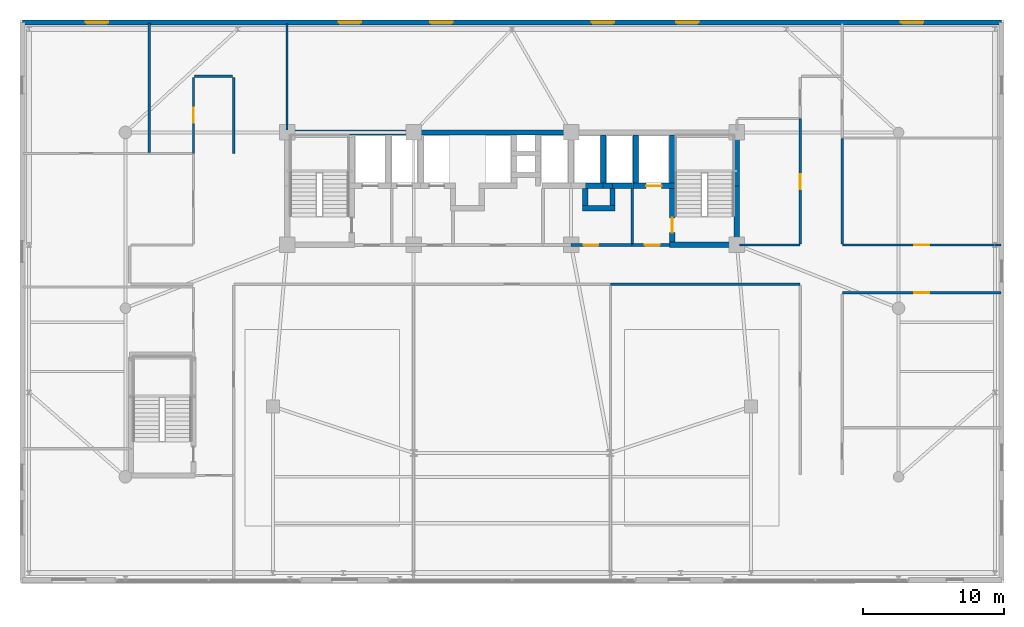
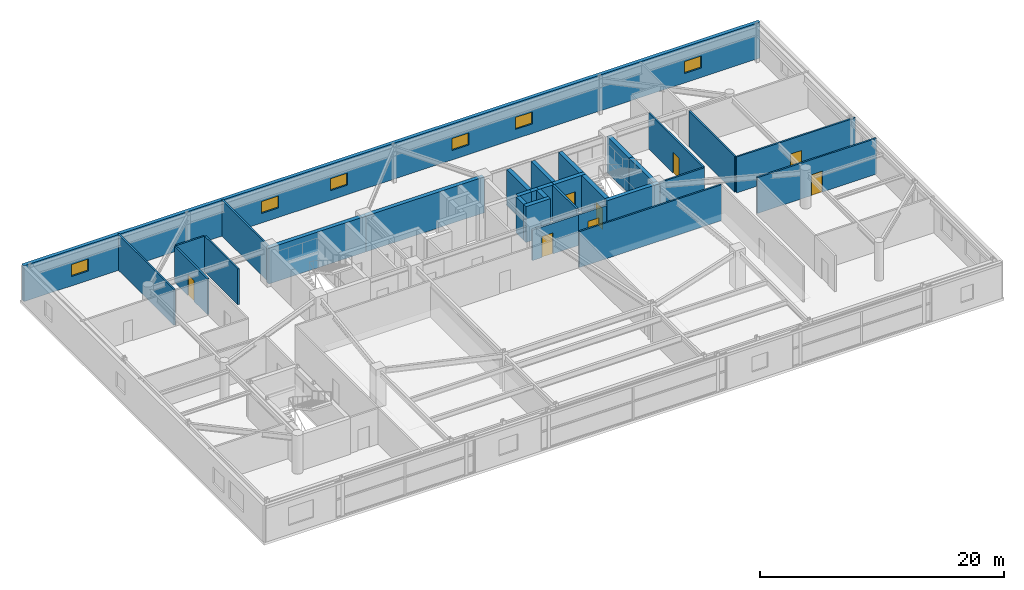
# One storey, part 22 of 26: 31 walls, 8 doors, 6 windows, 14 openings.
"""IFC4 building model written with IfcOpenShell, lengths in metres."""

from ifc_helpers import new_model, si_unit, direction, frame, frame_2d, origin, place, context, subcontext, project, spatial, rectangle, extrude, source, transform, mapped, material, layer, layer_set, type_object, element, fill, save


model = new_model("IFC4")

# Units and contexts
model_context = context("Model", 3, precision=1e-05, world=origin(), true_north=direction((0.0, 1.0)))
body_context = subcontext(model_context, "Body", "Model", "MODEL_VIEW")
ifc_project = project(units=[si_unit("LENGTHUNIT", "METRE"), si_unit("AREAUNIT", "SQUARE_METRE"), si_unit("VOLUMEUNIT", "CUBIC_METRE"), si_unit("PLANEANGLEUNIT", "RADIAN"), si_unit("MASSUNIT", "GRAM", prefix="KILO")], contexts=[model_context])

# Site, building, storey
site_placement = place(None, origin())
site = spatial("IfcSite", under=ifc_project, at=site_placement, CompositionType="ELEMENT")
building_placement = place(site_placement, origin())
building = spatial("IfcBuilding", under=site, at=building_placement, Name="Taldren Reach Tower", CompositionType="ELEMENT")
storey_placement = place(building_placement, frame((0.0, 0.0, 4.550048828125)))
storey = spatial("IfcBuildingStorey", under=building, at=storey_placement, Name="L01", CompositionType="ELEMENT", Elevation=4.550048828125)

# Wall, openings, windows
ifc_material_1 = material(Name="Pale Champagne Anodised Aluminium Cladding", Category="aluminium")
ifc_layer_1 = layer(ifc_material_1, 0.04, Name="Pale Champagne Anodised Aluminium Cladding", Category="aluminium")
ifc_material_2 = material(Name="Mineral Wool Thermal Insulation", Category="insulation")
ifc_layer_2 = layer(ifc_material_2, 0.08, Name="Mineral Wool Thermal Insulation", Category="insulation")
ifc_material_3 = material(Name="Concrete S50 (50 MPa)", Category="concrete")
ifc_layer_3 = layer(ifc_material_3, 0.22, Name="Concrete S50 (50 MPa)", Category="concrete")
ifc_layer_set_1 = layer_set([ifc_layer_1, ifc_layer_2, ifc_layer_3], Name="Pale Champagne Aluminium Cladding and Precast Concrete 50 MPa (S50)")
wall_type_1 = type_object("IfcWallType", Name="EW-POD-340", PredefinedType="SOLIDWALL", material=ifc_layer_set_1)
shared_shape_1 = source(origin(), body_context, "Body", "SweptSolid", [
    extrude(rectangle(XDim=69.66015625, YDim=0.340087890625, at=frame_2d((34.830078125, 0.0))), origin(), (0.0, 0.0, 1.0), 3.58984375),
])
wall_1_placement = place(storey_placement, frame((0.169921875, 39.830078125, 0.0), z_axis=(0.0, 0.0, 1.0), x_axis=(1.0, 0.0, 0.0)))
wall_1 = element("IfcWall", 1, at=wall_1_placement, inside=storey, type_object=wall_type_1, Name="Podium facade wall L01-N", PredefinedType="SOLIDWALL", context=body_context, shape_type="MappedRepresentation", body=[
    mapped(shared_shape_1, transform((0.0, 0.0, 0.0), scale=1.0)),
])
shared_shape_2 = source(origin(), body_context, "Body", "SweptSolid", [
    extrude(rectangle(XDim=1.60009765625, YDim=1.199951171875, at=frame_2d((0.800048828125, 0.60009765625))), frame((0.0, 0.18017578125, 0.0), z_axis=(0.0, -1.0, 0.0), x_axis=(1.0, 0.0, 0.0)), (0.0, 0.0, 1.0), 0.360107421875),
])
opening_1_placement = place(wall_1_placement, frame((4.5, 0.0, 0.949951171875)))
opening_1 = element("IfcOpeningElement", 2, at=opening_1_placement, cuts=wall_1, Name="Opening W-1612", PredefinedType="OPENING", context=body_context, shape_type="MappedRepresentation", body=[
    mapped(shared_shape_2, transform((0.0, 0.0, 0.0), scale=1.0)),
])
opening_2_placement = place(wall_1_placement, frame((22.5, 0.0, 0.949951171875)))
opening_2 = element("IfcOpeningElement", 3, at=opening_2_placement, cuts=wall_1, Name="Opening W-1612", PredefinedType="OPENING", context=body_context, shape_type="MappedRepresentation", body=[
    mapped(shared_shape_2, transform((0.0, 0.0, 0.0), scale=1.0)),
])
opening_3_placement = place(wall_1_placement, frame((29.0, 0.0, 0.949951171875)))
opening_3 = element("IfcOpeningElement", 4, at=opening_3_placement, cuts=wall_1, Name="Opening W-1612", PredefinedType="OPENING", context=body_context, shape_type="MappedRepresentation", body=[
    mapped(shared_shape_2, transform((0.0, 0.0, 0.0), scale=1.0)),
])
opening_4_placement = place(wall_1_placement, frame((40.5, 0.0, 0.949951171875)))
opening_4 = element("IfcOpeningElement", 5, at=opening_4_placement, cuts=wall_1, Name="Opening W-1612", PredefinedType="OPENING", context=body_context, shape_type="MappedRepresentation", body=[
    mapped(shared_shape_2, transform((0.0, 0.0, 0.0), scale=1.0)),
])
opening_5_placement = place(wall_1_placement, frame((46.5, 0.0, 0.949951171875)))
opening_5 = element("IfcOpeningElement", 6, at=opening_5_placement, cuts=wall_1, Name="Opening W-1612", PredefinedType="OPENING", context=body_context, shape_type="MappedRepresentation", body=[
    mapped(shared_shape_2, transform((0.0, 0.0, 0.0), scale=1.0)),
])
opening_6_placement = place(wall_1_placement, frame((62.5, 0.0, 0.949951171875)))
opening_6 = element("IfcOpeningElement", 7, at=opening_6_placement, cuts=wall_1, Name="Opening W-1612", PredefinedType="OPENING", context=body_context, shape_type="MappedRepresentation", body=[
    mapped(shared_shape_2, transform((0.0, 0.0, 0.0), scale=1.0)),
])
ifc_material_4 = material(Name="Thermally Broken Aluminium and Low-E IGU", Category="aluminium")
window_type = type_object("IfcWindowType", Name="WN-CLN-1600", PartitioningType="SINGLE_PANEL", PredefinedType="WINDOW", material=ifc_material_4)
shared_shape_3 = source(origin(), body_context, "Body", "SweptSolid", [
    extrude(rectangle(XDim=1.60009765625, YDim=1.199951171875, at=frame_2d((0.800048828125, 0.60009765625))), frame((0.0, 0.030029296875, 0.0), z_axis=(0.0, -1.0, 0.0), x_axis=(1.0, 0.0, 0.0)), (0.0, 0.0, 1.0), 0.06005859375),
])
window_1_placement = place(opening_1_placement, origin())
window_1 = element("IfcWindow", 8, at=window_1_placement, inside=storey, type_object=window_type, Name="Clinical window L01-N1", OverallHeight=1.199951171875, OverallWidth=1.60009765625, PartitioningType="SINGLE_PANEL", PredefinedType="WINDOW", context=body_context, shape_type="MappedRepresentation", body=[
    mapped(shared_shape_3, transform((0.0, 0.0, 0.0), scale=1.0)),
])
fill(opening_1, window_1)
window_2_placement = place(opening_2_placement, origin())
window_2 = element("IfcWindow", 9, at=window_2_placement, inside=storey, type_object=window_type, Name="Clinical window L01-N2", OverallHeight=1.199951171875, OverallWidth=1.60009765625, PartitioningType="SINGLE_PANEL", PredefinedType="WINDOW", context=body_context, shape_type="MappedRepresentation", body=[
    mapped(shared_shape_3, transform((0.0, 0.0, 0.0), scale=1.0)),
])
fill(opening_2, window_2)
window_3_placement = place(opening_3_placement, origin())
window_3 = element("IfcWindow", 10, at=window_3_placement, inside=storey, type_object=window_type, Name="Clinical window L01-N3", OverallHeight=1.199951171875, OverallWidth=1.60009765625, PartitioningType="SINGLE_PANEL", PredefinedType="WINDOW", context=body_context, shape_type="MappedRepresentation", body=[
    mapped(shared_shape_3, transform((0.0, 0.0, 0.0), scale=1.0)),
])
fill(opening_3, window_3)
window_4_placement = place(opening_4_placement, origin())
window_4 = element("IfcWindow", 11, at=window_4_placement, inside=storey, type_object=window_type, Name="Clinical window L01-N4", OverallHeight=1.199951171875, OverallWidth=1.60009765625, PartitioningType="SINGLE_PANEL", PredefinedType="WINDOW", context=body_context, shape_type="MappedRepresentation", body=[
    mapped(shared_shape_3, transform((0.0, 0.0, 0.0), scale=1.0)),
])
fill(opening_4, window_4)
window_5_placement = place(opening_5_placement, origin())
window_5 = element("IfcWindow", 12, at=window_5_placement, inside=storey, type_object=window_type, Name="Clinical window L01-N5", OverallHeight=1.199951171875, OverallWidth=1.60009765625, PartitioningType="SINGLE_PANEL", PredefinedType="WINDOW", context=body_context, shape_type="MappedRepresentation", body=[
    mapped(shared_shape_3, transform((0.0, 0.0, 0.0), scale=1.0)),
])
fill(opening_5, window_5)
window_6_placement = place(opening_6_placement, origin())
window_6 = element("IfcWindow", 13, at=window_6_placement, inside=storey, type_object=window_type, Name="Clinical window L01-N6", OverallHeight=1.199951171875, OverallWidth=1.60009765625, PartitioningType="SINGLE_PANEL", PredefinedType="WINDOW", context=body_context, shape_type="MappedRepresentation", body=[
    mapped(shared_shape_3, transform((0.0, 0.0, 0.0), scale=1.0)),
])
fill(opening_6, window_6)

# Walls
ifc_material_5 = material(Name="Concrete S80 (80 MPa)", Category="concrete")
ifc_layer_4 = layer(ifc_material_5, 0.3798828125)
ifc_layer_set_2 = layer_set([ifc_layer_4], Name="Concrete S80 (80 MPa)")
wall_type_2 = type_object("IfcWallType", Name="IW-CORE-380", PredefinedType="SHEAR", material=ifc_layer_set_2)
shared_shape_4 = source(origin(), body_context, "Body", "SweptSolid", [
    extrude(rectangle(XDim=9.18994140625, YDim=0.3798828125, at=frame_2d((4.594970703125, 0.0))), origin(), (0.0, 0.0, 1.0), 3.58984375),
])
wall_2_placement = place(storey_placement, frame((18.81005859375, 32.0, 0.0), z_axis=(0.0, 0.0, 1.0), x_axis=(1.0, 0.0, 0.0)))
element("IfcWall", 14, at=wall_2_placement, inside=storey, type_object=wall_type_2, Name="Rear Core Shear Wall W-CORE-L01-NORTH1", PredefinedType="SHEAR", context=body_context, shape_type="MappedRepresentation", body=[
    mapped(shared_shape_4, transform((0.0, 0.0, 0.0), scale=1.0)),
])
shared_shape_5 = source(origin(), body_context, "Body", "SweptSolid", [
    extrude(rectangle(XDim=11.199951171875, YDim=0.3798828125, at=frame_2d((5.60009765625, 0.0))), origin(), (0.0, 0.0, 1.0), 3.58984375),
])
wall_3_placement = place(storey_placement, frame((28.0, 32.0, 0.0), z_axis=(0.0, 0.0, 1.0), x_axis=(1.0, 0.0, 0.0)))
element("IfcWall", 15, at=wall_3_placement, inside=storey, type_object=wall_type_2, Name="Rear Core Shear Wall W-CORE-L01-NORTH2", PredefinedType="SHEAR", context=body_context, shape_type="MappedRepresentation", body=[
    mapped(shared_shape_5, transform((0.0, 0.0, 0.0), scale=1.0)),
])
shared_shape_6 = source(origin(), body_context, "Body", "SweptSolid", [
    extrude(rectangle(XDim=4.010009765625, YDim=0.3798828125, at=frame_2d((2.0048828125, 0.0))), origin(), (0.0, 0.0, 1.0), 3.58984375),
])
wall_4_placement = place(storey_placement, frame((51.0, 24.18994140625, 0.0), z_axis=(0.0, 0.0, 1.0), x_axis=(0.0, 1.0, 0.0)))
element("IfcWall", 16, at=wall_4_placement, inside=storey, type_object=wall_type_2, Name="Rear Core Shear Wall W-CORE-L01-EAST1", PredefinedType="SHEAR", context=body_context, shape_type="MappedRepresentation", body=[
    mapped(shared_shape_6, transform((0.0, 0.0, 0.0), scale=1.0)),
])
shared_shape_7 = source(origin(), body_context, "Body", "SweptSolid", [
    extrude(rectangle(XDim=3.610107421875, YDim=0.3798828125, at=frame_2d((1.80517578125, 0.0))), origin(), (0.0, 0.0, 1.0), 3.58984375),
])
wall_5_placement = place(storey_placement, frame((51.0, 28.199951171875, 0.0), z_axis=(0.0, 0.0, 1.0), x_axis=(0.0, 1.0, 0.0)))
element("IfcWall", 17, at=wall_5_placement, inside=storey, type_object=wall_type_2, Name="Rear Core Shear Wall W-CORE-L01-EAST2", PredefinedType="SHEAR", context=body_context, shape_type="MappedRepresentation", body=[
    mapped(shared_shape_7, transform((0.0, 0.0, 0.0), scale=1.0)),
])
shared_shape_8 = source(origin(), body_context, "Body", "SweptSolid", [
    extrude(rectangle(XDim=3.420166015625, YDim=0.3798828125, at=frame_2d((1.7099609375, 0.0))), origin(), (0.0, 0.0, 1.0), 3.58984375),
])
for number, where, z_axis, x_axis, name in (
    (18, (46.39990234375, 31.81005859375, 0.0), (0.0, 0.0, 1.0), (0.0, -1.0, 0.0), "Rear Core Shear Wall W-INT-L01-008"),
    (19, (43.800048828125, 31.81005859375, 0.0), (0.0, 0.0, 1.0), (0.0, -1.0, 0.0), "Rear Core Shear Wall W-INT-L01-012"),
    (20, (41.5, 28.389892578125, 0.0), (0.0, 0.0, 1.0), (0.0, 1.0, 0.0), "Rear Core Shear Wall W-INT-L01-039"),
):
    element("IfcWall", number, at=place(storey_placement, frame(where, z_axis=z_axis, x_axis=x_axis)), inside=storey, type_object=wall_type_2, Name=name, PredefinedType="SHEAR", context=body_context, shape_type="MappedRepresentation", body=[
        mapped(shared_shape_8, transform((0.0, 0.0, 0.0), scale=1.0)),
    ])

# Wall, opening, door
shared_shape_9 = source(origin(), body_context, "Body", "SweptSolid", [
    extrude(rectangle(XDim=3.820068359375, YDim=0.3798828125, at=frame_2d((1.91015625, 0.0))), origin(), (0.0, 0.0, 1.0), 3.58984375),
])
wall_6_placement = place(storey_placement, frame((46.39990234375, 28.010009765625, 0.0), z_axis=(0.0, 0.0, 1.0), x_axis=(0.0, -1.0, 0.0)))
wall_6 = element("IfcWall", 21, at=wall_6_placement, inside=storey, type_object=wall_type_2, Name="Rear Core Shear Wall W-INT-L01-009", PredefinedType="SHEAR", context=body_context, shape_type="MappedRepresentation", body=[
    mapped(shared_shape_9, transform((0.0, 0.0, 0.0), scale=1.0)),
])
shared_shape_10 = source(origin(), body_context, "Body", "SweptSolid", [
    extrude(rectangle(XDim=1.050048828125, YDim=2.10009765625, at=frame_2d((0.52490234375, 1.050048828125))), frame((0.0, 0.199951171875, 0.0), z_axis=(0.0, -1.0, 0.0), x_axis=(1.0, 0.0, 0.0)), (0.0, 0.0, 1.0), 0.39990234375),
])
opening_7_placement = place(wall_6_placement, frame((2.0849609375, 0.0, 0.0)))
opening_7 = element("IfcOpeningElement", 22, at=opening_7_placement, cuts=wall_6, Name="Opening DF-105", PredefinedType="OPENING", context=body_context, shape_type="MappedRepresentation", body=[
    mapped(shared_shape_10, transform((0.0, 0.0, 0.0), scale=1.0)),
])
ifc_material_6 = material(Name="Fire-Rated Care and Stair Exit Door")
door_type_1 = type_object("IfcDoorType", Name="ID-FIRE-105", OperationType="NOTDEFINED", PredefinedType="DOOR", material=ifc_material_6)
shared_shape_11 = source(origin(), body_context, "Body", "SweptSolid", [
    extrude(rectangle(XDim=1.050048828125, YDim=2.10009765625, at=frame_2d((0.52490234375, 1.050048828125))), frame((0.0, 0.02490234375, 0.0), z_axis=(0.0, -1.0, 0.0), x_axis=(1.0, 0.0, 0.0)), (0.0, 0.0, 1.0), 0.050048828125),
])
door_1_placement = place(opening_7_placement, origin())
door_1 = element("IfcDoor", 23, at=door_1_placement, inside=storey, type_object=door_type_1, Name="Fire Exit Stair Door DR-L01-003", OperationType="SINGLE_SWING_RIGHT", OverallHeight=2.10009765625, OverallWidth=1.050048828125, PredefinedType="DOOR", context=body_context, shape_type="MappedRepresentation", body=[
    mapped(shared_shape_11, transform((0.0, 0.0, 0.0), scale=1.0)),
])
fill(opening_7, door_1)

# Wall
shared_shape_12 = source(origin(), body_context, "Body", "SweptSolid", [
    extrude(rectangle(XDim=4.97998046875, YDim=0.3798828125, at=frame_2d((2.489990234375, 0.0))), origin(), (0.0, 0.0, 1.0), 3.58984375),
])
wall_7_placement = place(storey_placement, frame((46.2099609375, 24.0, 0.0), z_axis=(0.0, 0.0, 1.0), x_axis=(1.0, 0.0, 0.0)))
element("IfcWall", 24, at=wall_7_placement, inside=storey, type_object=wall_type_2, Name="Rear Core Shear Wall W-INT-L01-010", PredefinedType="SHEAR", context=body_context, shape_type="MappedRepresentation", body=[
    mapped(shared_shape_12, transform((0.0, 0.0, 0.0), scale=1.0)),
])

# Wall, opening, door
shared_shape_13 = source(origin(), body_context, "Body", "SweptSolid", [
    extrude(rectangle(XDim=2.97998046875, YDim=0.3798828125, at=frame_2d((1.489990234375, 0.0))), origin(), (0.0, 0.0, 1.0), 3.58984375),
])
wall_8_placement = place(storey_placement, frame((43.610107421875, 28.199951171875, 0.0), z_axis=(0.0, 0.0, 1.0), x_axis=(1.0, 0.0, 0.0)))
wall_8 = element("IfcWall", 25, at=wall_8_placement, inside=storey, type_object=wall_type_2, Name="Rear Core Shear Wall W-INT-L01-011", PredefinedType="SHEAR", context=body_context, shape_type="MappedRepresentation", body=[
    mapped(shared_shape_13, transform((0.0, 0.0, 0.0), scale=1.0)),
])
shared_shape_14 = source(origin(), body_context, "Body", "SweptSolid", [
    extrude(rectangle(XDim=1.10009765625, YDim=2.14990234375, at=frame_2d((0.550048828125, 1.074951171875))), frame((0.0, 0.199951171875, 0.0), z_axis=(0.0, -1.0, 0.0), x_axis=(1.0, 0.0, 0.0)), (0.0, 0.0, 1.0), 0.39990234375),
])
opening_8_placement = place(wall_8_placement, frame((0.93994140625, 0.0, 0.0)))
opening_8 = element("IfcOpeningElement", 26, at=opening_8_placement, cuts=wall_8, Name="Opening LD-FL2", PredefinedType="OPENING", context=body_context, shape_type="MappedRepresentation", body=[
    mapped(shared_shape_14, transform((0.0, 0.0, 0.0), scale=1.0)),
])
ifc_material_7 = material(Name="Stainless Steel Gr 316 Emergency Lift Landing Door", Category="steel")
door_type_2 = type_object("IfcDoorType", Name="LD-EMG-110", OperationType="SLIDING_TO_LEFT", PredefinedType="DOOR", material=ifc_material_7)
shared_shape_15 = source(origin(), body_context, "Body", "SweptSolid", [
    extrude(rectangle(XDim=1.10009765625, YDim=2.14990234375, at=frame_2d((0.550048828125, 1.074951171875))), frame((0.0, 0.02490234375, 0.0), z_axis=(0.0, -1.0, 0.0), x_axis=(1.0, 0.0, 0.0)), (0.0, 0.0, 1.0), 0.050048828125),
])
door_2_placement = place(opening_8_placement, origin())
door_2 = element("IfcDoor", 27, at=door_2_placement, inside=storey, type_object=door_type_2, Name="Lift Landing Door LD-FL2-L01", OperationType="SLIDING_TO_LEFT", OverallHeight=2.14990234375, OverallWidth=1.10009765625, PredefinedType="DOOR", context=body_context, shape_type="MappedRepresentation", body=[
    mapped(shared_shape_15, transform((0.0, 0.0, 0.0), scale=1.0)),
])
fill(opening_8, door_2)

# Wall
ifc_layer_5 = layer(ifc_material_3, 0.199951171875)
ifc_layer_set_3 = layer_set([ifc_layer_5], Name="Concrete S50 (50 MPa)")
wall_type_3 = type_object("IfcWallType", Name="IW-CORE-200", PredefinedType="SOLIDWALL", material=ifc_layer_set_3)
shared_shape_16 = source(origin(), body_context, "Body", "SweptSolid", [
    extrude(rectangle(XDim=3.909912109375, YDim=0.199951171875, at=frame_2d((1.955078125, 0.0))), origin(), (0.0, 0.0, 1.0), 3.58984375),
])
wall_9_placement = place(storey_placement, frame((43.550048828125, 28.010009765625, 0.0), z_axis=(0.0, 0.0, 1.0), x_axis=(0.0, -1.0, 0.0)))
element("IfcWall", 28, at=wall_9_placement, inside=storey, type_object=wall_type_3, Name="Rear Core Shear Wall W-INT-L01-013", PredefinedType="SOLIDWALL", context=body_context, shape_type="MappedRepresentation", body=[
    mapped(shared_shape_16, transform((0.0, 0.0, 0.0), scale=1.0)),
])

# Wall, opening, door
shared_shape_17 = source(origin(), body_context, "Body", "SweptSolid", [
    extrude(rectangle(XDim=2.659912109375, YDim=0.199951171875, at=frame_2d((1.330078125, 0.0))), origin(), (0.0, 0.0, 1.0), 3.056884765625),
])
wall_10_placement = place(storey_placement, frame((43.550048828125, 24.0, 0.0), z_axis=(0.0, 0.0, 1.0), x_axis=(1.0, 0.0, 0.0)))
wall_10 = element("IfcWall", 29, at=wall_10_placement, inside=storey, type_object=wall_type_3, Name="Rear Core Shear Wall W-INT-L01-014", PredefinedType="SOLIDWALL", context=body_context, shape_type="MappedRepresentation", body=[
    mapped(shared_shape_17, transform((0.0, 0.0, 0.0), scale=1.0)),
])
shared_shape_18 = source(origin(), body_context, "Body", "SweptSolid", [
    extrude(rectangle(XDim=1.050048828125, YDim=2.10009765625, at=frame_2d((0.52490234375, 1.050048828125))), frame((0.0, 0.10986328125, 0.0), z_axis=(0.0, -1.0, 0.0), x_axis=(1.0, 0.0, 0.0)), (0.0, 0.0, 1.0), 0.219970703125),
])
opening_9_placement = place(wall_10_placement, frame((0.89990234375, 0.0, 0.0)))
opening_9 = element("IfcOpeningElement", 30, at=opening_9_placement, cuts=wall_10, Name="Opening DF-105", PredefinedType="OPENING", context=body_context, shape_type="MappedRepresentation", body=[
    mapped(shared_shape_18, transform((0.0, 0.0, 0.0), scale=1.0)),
])
door_3_placement = place(opening_9_placement, origin())
door_3 = element("IfcDoor", 31, at=door_3_placement, inside=storey, type_object=door_type_1, Name="Interior Door DR-L01-004", OperationType="SINGLE_SWING_LEFT", OverallHeight=2.10009765625, OverallWidth=1.050048828125, PredefinedType="DOOR", context=body_context, shape_type="MappedRepresentation", body=[
    mapped(shared_shape_11, transform((0.0, 0.0, 0.0), scale=1.0)),
])
fill(opening_9, door_3)

# Walls
shared_shape_19 = source(origin(), body_context, "Body", "SweptSolid", [
    extrude(rectangle(XDim=1.219970703125, YDim=0.3798828125, at=frame_2d((0.60986328125, 0.0))), origin(), (0.0, 0.0, 1.0), 3.58984375),
])
for number, where, z_axis, x_axis, name in (
    (32, (40.199951171875, 28.010009765625, 0.0), (0.0, 0.0, 1.0), (0.0, -1.0, 0.0), "Rear Core Shear Wall W-INT-L01-027"),
    (33, (42.14990234375, 26.7900390625, 0.0), (0.0, 0.0, 1.0), (0.0, 1.0, 0.0), "Rear Core Shear Wall W-INT-L01-028"),
):
    element("IfcWall", number, at=place(storey_placement, frame(where, z_axis=z_axis, x_axis=x_axis)), inside=storey, type_object=wall_type_2, Name=name, PredefinedType="SHEAR", context=body_context, shape_type="MappedRepresentation", body=[
        mapped(shared_shape_19, transform((0.0, 0.0, 0.0), scale=1.0)),
    ])
shared_shape_20 = source(origin(), body_context, "Body", "SweptSolid", [
    extrude(rectangle(XDim=1.320068359375, YDim=0.3798828125, at=frame_2d((0.66015625, 0.0))), origin(), (0.0, 0.0, 1.0), 3.58984375),
])
wall_11_placement = place(storey_placement, frame((41.52001953125, 28.199951171875, 0.0), z_axis=(0.0, 0.0, 1.0), x_axis=(-1.0, 0.0, 0.0)))
element("IfcWall", 34, at=wall_11_placement, inside=storey, type_object=wall_type_2, Name="Rear Core Shear Wall W-INT-L01-024", PredefinedType="SHEAR", context=body_context, shape_type="MappedRepresentation", body=[
    mapped(shared_shape_20, transform((0.0, 0.0, 0.0), scale=1.0)),
])
shared_shape_21 = source(origin(), body_context, "Body", "SweptSolid", [
    extrude(rectangle(XDim=0.669921875, YDim=0.3798828125, at=frame_2d((0.3349609375, 0.0))), origin(), (0.0, 0.0, 1.0), 3.58984375),
])
wall_12_placement = place(storey_placement, frame((42.14990234375, 28.199951171875, 0.0), z_axis=(0.0, 0.0, 1.0), x_axis=(-1.0, 0.0, 0.0)))
element("IfcWall", 35, at=wall_12_placement, inside=storey, type_object=wall_type_2, Name="Rear Core Shear Wall W-INT-L01-025", PredefinedType="SHEAR", context=body_context, shape_type="MappedRepresentation", body=[
    mapped(shared_shape_21, transform((0.0, 0.0, 0.0), scale=1.0)),
])
shared_shape_22 = source(origin(), body_context, "Body", "SweptSolid", [
    extrude(rectangle(XDim=2.330078125, YDim=0.3798828125, at=frame_2d((1.1650390625, 0.0))), origin(), (0.0, 0.0, 1.0), 3.58984375),
])
wall_13_placement = place(storey_placement, frame((40.010009765625, 26.60009765625, 0.0), z_axis=(0.0, 0.0, 1.0), x_axis=(1.0, 0.0, 0.0)))
element("IfcWall", 36, at=wall_13_placement, inside=storey, type_object=wall_type_2, Name="Rear Core Shear Wall W-INT-L01-026", PredefinedType="SHEAR", context=body_context, shape_type="MappedRepresentation", body=[
    mapped(shared_shape_22, transform((0.0, 0.0, 0.0), scale=1.0)),
])
shared_shape_23 = source(origin(), body_context, "Body", "SweptSolid", [
    extrude(rectangle(XDim=1.440185546875, YDim=0.3798828125, at=frame_2d((0.72021484375, 0.0))), origin(), (0.0, 0.0, 1.0), 3.58984375),
])
wall_14_placement = place(storey_placement, frame((42.1298828125, 28.199951171875, 0.0), z_axis=(0.0, 0.0, 1.0), x_axis=(1.0, 0.0, 0.0)))
element("IfcWall", 37, at=wall_14_placement, inside=storey, type_object=wall_type_2, Name="Rear Core Shear Wall W-INT-L01-041", PredefinedType="SHEAR", context=body_context, shape_type="MappedRepresentation", body=[
    mapped(shared_shape_23, transform((0.0, 0.0, 0.0), scale=1.0)),
])

# Wall, opening, door
shared_shape_24 = source(origin(), body_context, "Body", "SweptSolid", [
    extrude(rectangle(XDim=4.35009765625, YDim=0.199951171875, at=frame_2d((2.175048828125, 0.0))), origin(), (0.0, 0.0, 1.0), 3.056884765625),
])
wall_15_placement = place(storey_placement, frame((43.550048828125, 24.0, 0.0), z_axis=(0.0, 0.0, 1.0), x_axis=(-1.0, 0.0, 0.0)))
wall_15 = element("IfcWall", 38, at=wall_15_placement, inside=storey, type_object=wall_type_3, Name="Rear Core Shear Wall W-INT-L01-044", PredefinedType="SOLIDWALL", context=body_context, shape_type="MappedRepresentation", body=[
    mapped(shared_shape_24, transform((0.0, 0.0, 0.0), scale=1.0)),
])
opening_10_placement = place(wall_15_placement, frame((2.39990234375, 0.0, 0.0)))
opening_10 = element("IfcOpeningElement", 39, at=opening_10_placement, cuts=wall_15, Name="Opening DF-105", PredefinedType="OPENING", context=body_context, shape_type="MappedRepresentation", body=[
    mapped(shared_shape_18, transform((0.0, 0.0, 0.0), scale=1.0)),
])
door_4_placement = place(opening_10_placement, frame((1.050048828125, 0.0, 0.0), z_axis=(0.0, 0.0, 1.0), x_axis=(-1.0, 0.0, 0.0)))
door_4 = element("IfcDoor", 40, at=door_4_placement, inside=storey, type_object=door_type_1, Name="Interior Door DR-L01-007", OperationType="SINGLE_SWING_RIGHT", OverallHeight=2.10009765625, OverallWidth=1.050048828125, PredefinedType="DOOR", context=body_context, shape_type="MappedRepresentation", body=[
    mapped(shared_shape_11, transform((0.0, 0.0, 0.0), scale=1.0)),
])
fill(opening_10, door_4)

# Wall
ifc_material_8 = material(Name="Fire-Rated Acoustic Plasterboard Stud Wall", Category="gypsum")
ifc_layer_6 = layer(ifc_material_8, 0.159912109375)
ifc_layer_set_4 = layer_set([ifc_layer_6], Name="Fire-Rated Acoustic Plasterboard Stud Wall")
wall_type_4 = type_object("IfcWallType", Name="IW-FIRE-160", PredefinedType="PARTITIONING", material=ifc_layer_set_4)
shared_shape_25 = source(origin(), body_context, "Body", "SweptSolid", [
    extrude(rectangle(XDim=13.45947265625, YDim=0.159912109375, at=frame_2d((6.729736328125, 0.0))), origin(), (0.0, 0.0, 1.0), 3.58984375),
])
wall_16_placement = place(storey_placement, frame((55.479736328125, 21.199951171875, 0.0), z_axis=(0.0, 0.0, 1.0), x_axis=(-1.0, 0.0, 0.0)))
element("IfcWall", 41, at=wall_16_placement, inside=storey, type_object=wall_type_4, Name="Interior Partition Wall W-INT-L01-054", PredefinedType="PARTITIONING", context=body_context, shape_type="MappedRepresentation", body=[
    mapped(shared_shape_25, transform((0.0, 0.0, 0.0), scale=1.0)),
])

# Wall, opening, door
shared_shape_26 = source(origin(), body_context, "Body", "SweptSolid", [
    extrude(rectangle(XDim=5.399658203125, YDim=0.159912109375, at=frame_2d((2.69970703125, 0.0))), origin(), (0.0, 0.0, 1.0), 3.58984375),
])
wall_17_placement = place(storey_placement, frame((12.340087890625, 30.520263671875, 0.0), z_axis=(0.0, 0.0, 1.0), x_axis=(0.0, 1.0, 0.0)))
wall_17 = element("IfcWall", 42, at=wall_17_placement, inside=storey, type_object=wall_type_4, Name="Interior Partition Wall W-INT-L01-061", PredefinedType="PARTITIONING", context=body_context, shape_type="MappedRepresentation", body=[
    mapped(shared_shape_26, transform((0.0, 0.0, 0.0), scale=1.0)),
])
shared_shape_27 = source(origin(), body_context, "Body", "SweptSolid", [
    extrude(rectangle(XDim=1.050048828125, YDim=2.10009765625, at=frame_2d((0.52490234375, 1.050048828125))), frame((0.0, 0.08984375, 0.0), z_axis=(0.0, -1.0, 0.0), x_axis=(1.0, 0.0, 0.0)), (0.0, 0.0, 1.0), 0.179931640625),
])
opening_11_placement = place(wall_17_placement, frame((2.1748046875, 0.0, 0.0)))
opening_11 = element("IfcOpeningElement", 43, at=opening_11_placement, cuts=wall_17, Name="Opening DF-105", PredefinedType="OPENING", context=body_context, shape_type="MappedRepresentation", body=[
    mapped(shared_shape_27, transform((0.0, 0.0, 0.0), scale=1.0)),
])
door_5_placement = place(opening_11_placement, origin())
door_5 = element("IfcDoor", 44, at=door_5_placement, inside=storey, type_object=door_type_1, Name="Interior Door DR-L01-015", OperationType="SINGLE_SWING_RIGHT", OverallHeight=2.10009765625, OverallWidth=1.050048828125, PredefinedType="DOOR", context=body_context, shape_type="MappedRepresentation", body=[
    mapped(shared_shape_11, transform((0.0, 0.0, 0.0), scale=1.0)),
])
fill(opening_11, door_5)

# Walls
wall_18_placement = place(storey_placement, frame((15.199951171875, 35.919921875, 0.0), z_axis=(0.0, 0.0, 1.0), x_axis=(0.0, -1.0, 0.0)))
element("IfcWall", 45, at=wall_18_placement, inside=storey, type_object=wall_type_4, Name="Interior Partition Wall W-INT-L01-062", PredefinedType="PARTITIONING", context=body_context, shape_type="MappedRepresentation", body=[
    mapped(shared_shape_26, transform((0.0, 0.0, 0.0), scale=1.0)),
])
shared_shape_28 = source(origin(), body_context, "Body", "SweptSolid", [
    extrude(rectangle(XDim=2.7001953125, YDim=0.159912109375, at=frame_2d((1.35009765625, 0.0))), origin(), (0.0, 0.0, 1.0), 3.58984375),
])
wall_19_placement = place(storey_placement, frame((12.419921875, 36.0, 0.0), z_axis=(0.0, 0.0, 1.0), x_axis=(1.0, 0.0, 0.0)))
element("IfcWall", 46, at=wall_19_placement, inside=storey, type_object=wall_type_4, Name="Interior Partition Wall W-INT-L01-063", PredefinedType="PARTITIONING", context=body_context, shape_type="MappedRepresentation", body=[
    mapped(shared_shape_28, transform((0.0, 0.0, 0.0), scale=1.0)),
])

# Wall, opening, door
shared_shape_29 = source(origin(), body_context, "Body", "SweptSolid", [
    extrude(rectangle(XDim=11.249755859375, YDim=0.159912109375, at=frame_2d((5.625, 0.0))), origin(), (0.0, 0.0, 1.0), 3.58984375),
])
wall_20_placement = place(storey_placement, frame((69.77001953125, 20.60009765625, 0.0), z_axis=(0.0, 0.0, 1.0), x_axis=(-1.0, 0.0, 0.0)))
wall_20 = element("IfcWall", 47, at=wall_20_placement, inside=storey, type_object=wall_type_4, Name="Interior Partition Wall W-INT-L01-065", PredefinedType="PARTITIONING", context=body_context, shape_type="MappedRepresentation", body=[
    mapped(shared_shape_29, transform((0.0, 0.0, 0.0), scale=1.0)),
])
opening_12_placement = place(wall_20_placement, frame((5.099853515625, 0.0, 0.0)))
opening_12 = element("IfcOpeningElement", 48, at=opening_12_placement, cuts=wall_20, Name="Opening DF-105", PredefinedType="OPENING", context=body_context, shape_type="MappedRepresentation", body=[
    mapped(shared_shape_27, transform((0.0, 0.0, 0.0), scale=1.0)),
])
door_6_placement = place(opening_12_placement, origin())
door_6 = element("IfcDoor", 49, at=door_6_placement, inside=storey, type_object=door_type_1, Name="Interior Door DR-L01-017", OperationType="SINGLE_SWING_RIGHT", OverallHeight=2.10009765625, OverallWidth=1.050048828125, PredefinedType="DOOR", context=body_context, shape_type="MappedRepresentation", body=[
    mapped(shared_shape_11, transform((0.0, 0.0, 0.0), scale=1.0)),
])
fill(opening_12, door_6)

wall_21_placement = place(storey_placement, frame((58.520263671875, 24.0, 0.0), z_axis=(0.0, 0.0, 1.0), x_axis=(1.0, 0.0, 0.0)))
wall_21 = element("IfcWall", 50, at=wall_21_placement, inside=storey, type_object=wall_type_4, Name="Interior Partition Wall W-INT-L01-067", PredefinedType="PARTITIONING", context=body_context, shape_type="MappedRepresentation", body=[
    mapped(shared_shape_29, transform((0.0, 0.0, 0.0), scale=1.0)),
])
opening_13_placement = place(wall_21_placement, frame((5.099853515625, 0.0, 0.0)))
opening_13 = element("IfcOpeningElement", 51, at=opening_13_placement, cuts=wall_21, Name="Opening DF-105", PredefinedType="OPENING", context=body_context, shape_type="MappedRepresentation", body=[
    mapped(shared_shape_27, transform((0.0, 0.0, 0.0), scale=1.0)),
])
door_7_placement = place(opening_13_placement, origin())
door_7 = element("IfcDoor", 52, at=door_7_placement, inside=storey, type_object=door_type_1, Name="Interior Door DR-L01-018", OperationType="SINGLE_SWING_LEFT", OverallHeight=2.10009765625, OverallWidth=1.050048828125, PredefinedType="DOOR", context=body_context, shape_type="MappedRepresentation", body=[
    mapped(shared_shape_11, transform((0.0, 0.0, 0.0), scale=1.0)),
])
fill(opening_13, door_7)

# Wall
shared_shape_30 = source(origin(), body_context, "Body", "SweptSolid", [
    extrude(rectangle(XDim=7.5078125, YDim=0.159912109375, at=frame_2d((3.75390625, 0.0))), origin(), (0.0, 0.0, 1.0), 3.58984375),
])
wall_22_placement = place(storey_placement, frame((58.5, 31.587890625, 0.0), z_axis=(0.0, 0.0, 1.0), x_axis=(0.0, -1.0, 0.0)))
element("IfcWall", 53, at=wall_22_placement, inside=storey, type_object=wall_type_4, Name="Interior Partition Wall W-INT-L01-068", PredefinedType="PARTITIONING", context=body_context, shape_type="MappedRepresentation", body=[
    mapped(shared_shape_30, transform((0.0, 0.0, 0.0), scale=1.0)),
])

# Wall, opening, door
shared_shape_31 = source(origin(), body_context, "Body", "SweptSolid", [
    extrude(rectangle(XDim=8.899658203125, YDim=0.159912109375, at=frame_2d((4.44970703125, 0.0))), origin(), (0.0, 0.0, 1.0), 3.58984375),
])
wall_23_placement = place(storey_placement, frame((55.5, 24.080078125, 0.0), z_axis=(0.0, 0.0, 1.0), x_axis=(0.0, 1.0, 0.0)))
wall_23 = element("IfcWall", 54, at=wall_23_placement, inside=storey, type_object=wall_type_4, Name="Interior Partition Wall W-INT-L01-070", PredefinedType="PARTITIONING", context=body_context, shape_type="MappedRepresentation", body=[
    mapped(shared_shape_31, transform((0.0, 0.0, 0.0), scale=1.0)),
])
opening_14_placement = place(wall_23_placement, frame((3.89501953125, 0.0, 0.0)))
opening_14 = element("IfcOpeningElement", 55, at=opening_14_placement, cuts=wall_23, Name="Opening DF-105", PredefinedType="OPENING", context=body_context, shape_type="MappedRepresentation", body=[
    mapped(shared_shape_27, transform((0.0, 0.0, 0.0), scale=1.0)),
])
door_8_placement = place(opening_14_placement, origin())
door_8 = element("IfcDoor", 56, at=door_8_placement, inside=storey, type_object=door_type_1, Name="Interior Door DR-L01-020", OperationType="SINGLE_SWING_LEFT", OverallHeight=2.10009765625, OverallWidth=1.050048828125, PredefinedType="DOOR", context=body_context, shape_type="MappedRepresentation", body=[
    mapped(shared_shape_11, transform((0.0, 0.0, 0.0), scale=1.0)),
])
fill(opening_14, door_8)

# Walls
shared_shape_32 = source(origin(), body_context, "Body", "SweptSolid", [
    extrude(rectangle(XDim=4.289794921875, YDim=0.159912109375, at=frame_2d((2.14501953125, 0.0))), origin(), (0.0, 0.0, 1.0), 3.58984375),
])
wall_24_placement = place(storey_placement, frame((51.18994140625, 24.0, 0.0), z_axis=(0.0, 0.0, 1.0), x_axis=(1.0, 0.0, 0.0)))
element("IfcWall", 57, at=wall_24_placement, inside=storey, type_object=wall_type_4, Name="Interior Partition Wall W-INT-L01-071", PredefinedType="PARTITIONING", context=body_context, shape_type="MappedRepresentation", body=[
    mapped(shared_shape_32, transform((0.0, 0.0, 0.0), scale=1.0)),
])
shared_shape_33 = source(origin(), body_context, "Body", "SweptSolid", [
    extrude(rectangle(XDim=9.18994140625, YDim=0.159912109375, at=frame_2d((4.594970703125, 0.0))), origin(), (0.0, 0.0, 1.0), 3.58984375),
])
wall_25_placement = place(storey_placement, frame((9.197998046875, 39.77001953125, 0.0), z_axis=(0.0, 0.0, 1.0), x_axis=(0.0, -1.0, 0.0)))
element("IfcWall", 58, at=wall_25_placement, inside=storey, type_object=wall_type_4, Name="Interior Partition Wall W-INT-L01-081", PredefinedType="PARTITIONING", context=body_context, shape_type="MappedRepresentation", body=[
    mapped(shared_shape_33, transform((0.0, 0.0, 0.0), scale=1.0)),
])
shared_shape_34 = source(origin(), body_context, "Body", "SweptSolid", [
    extrude(rectangle(XDim=7.578125, YDim=0.159912109375, at=frame_2d((3.7890625, 0.0))), origin(), (0.0, 0.0, 1.0), 3.58984375),
])
wall_26_placement = place(storey_placement, frame((19.0, 39.76806640625, 0.0), z_axis=(0.0, 0.0, 1.0), x_axis=(0.0, -1.0, 0.0)))
element("IfcWall", 59, at=wall_26_placement, inside=storey, type_object=wall_type_4, Name="Interior Partition Wall W-INT-L01-082", PredefinedType="PARTITIONING", context=body_context, shape_type="MappedRepresentation", body=[
    mapped(shared_shape_34, transform((0.0, 0.0, 0.0), scale=1.0)),
])

save(model, "model.ifc")
